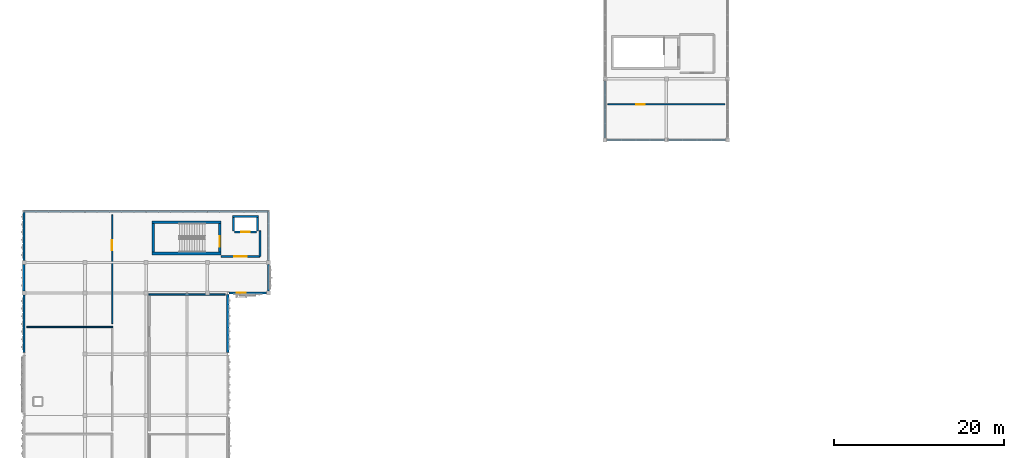
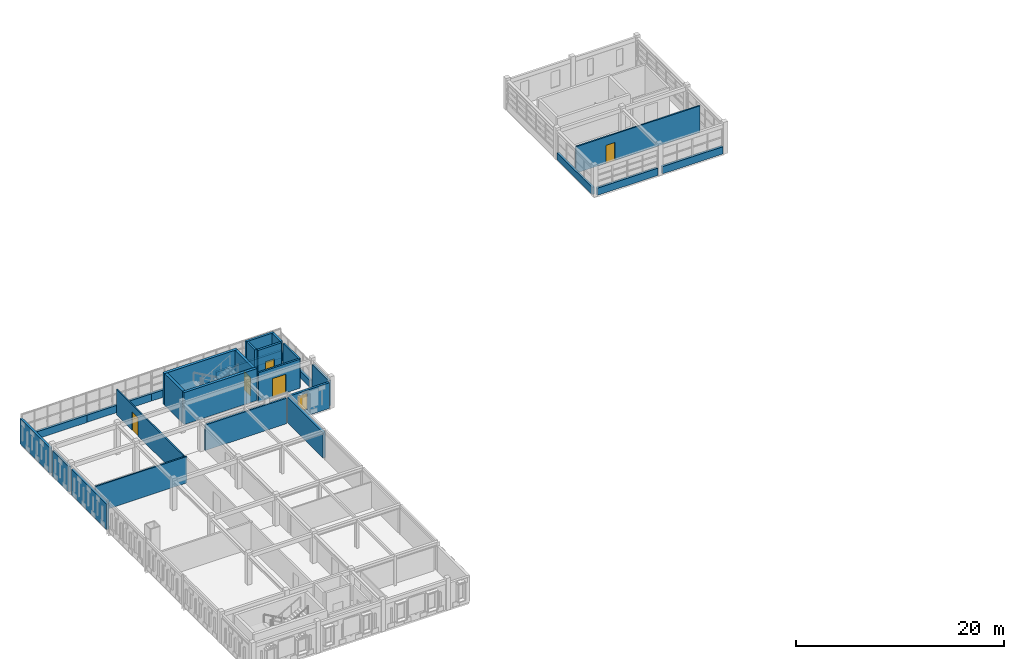
# One storey, part 27 of 53: 28 walls, 5 doors, 1 window, 6 openings.
"""IFC4 building model written with IfcOpenShell, lengths in metres."""

from ifc_helpers import new_model, si_unit, direction, frame, frame_2d, origin, place, context, subcontext, project, spatial, rectangle, extrude, material, layer, layer_set, type_object, element, fill, save


model = new_model("IFC4")

# Units and contexts
model_context = context("Model", 3, precision=1e-05, world=origin(), true_north=direction((0.0, 1.0)))
body_context = subcontext(model_context, "Body", "Model", "MODEL_VIEW")
ifc_project = project(units=[si_unit("LENGTHUNIT", "METRE"), si_unit("AREAUNIT", "SQUARE_METRE"), si_unit("VOLUMEUNIT", "CUBIC_METRE"), si_unit("PLANEANGLEUNIT", "RADIAN"), si_unit("MASSUNIT", "GRAM", prefix="KILO")], contexts=[model_context])

# Site, building, storey
site_placement = place(None, origin())
site = spatial("IfcSite", under=ifc_project, at=site_placement, CompositionType="ELEMENT")
building_placement = place(site_placement, origin())
building = spatial("IfcBuilding", under=site, at=building_placement, Name="Nzembalo Square Collegiate School", CompositionType="ELEMENT")
storey_placement = place(building_placement, frame((0.0, 0.0, 13.60009765625)))
storey = spatial("IfcBuildingStorey", under=building, at=storey_placement, Name="L03", CompositionType="ELEMENT", Elevation=13.60009765625)

# Walls
ifc_material_1 = material(Name="Concrete C40/50", Category="concrete")
ifc_layer_1 = layer(ifc_material_1, 0.300048828125, Name="Concrete C40/50")
ifc_layer_set_1 = layer_set([ifc_layer_1], Name="Concrete C40/50")
wall_type_1 = type_object("IfcWallType", Name="SW02", PredefinedType="SHEAR", material=ifc_layer_set_1)
wall_1_placement = place(storey_placement, frame((23.64990234375, 84.0, 0.0), z_axis=(0.0, 0.0, 1.0), x_axis=(0.0, 1.0, 0.0)))
element("IfcWall", 1, at=wall_1_placement, inside=storey, type_object=wall_type_1, Name="Core C2 stair shear wall W L03", PredefinedType="SHEAR", context=body_context, shape_type="SweptSolid", body=[
    extrude(rectangle(XDim=3.39990234375, YDim=0.300048828125, at=frame_2d((1.699951171875, 0.0))), origin(), (0.0, 0.0, 1.0), 3.739990234375),
])
for number, where, z_axis, x_axis, name in (
    (2, (23.5, 83.85009765625, 0.0), (0.0, 0.0, 1.0), (1.0, 0.0, 0.0), "Core C2 stair shear wall S L03"),
    (3, (23.5, 87.550048828125, 0.0), (0.0, 0.0, 1.0), (1.0, 0.0, 0.0), "Core C2 stair shear wall N L03"),
):
    element("IfcWall", number, at=place(storey_placement, frame(where, z_axis=z_axis, x_axis=x_axis)), inside=storey, type_object=wall_type_1, Name=name, PredefinedType="SHEAR", context=body_context, shape_type="SweptSolid", body=[
        extrude(rectangle(XDim=8.10009765625, YDim=0.300048828125, at=frame_2d((4.050048828125, 0.0))), origin(), (0.0, 0.0, 1.0), 3.739990234375),
    ])

# Wall, opening, door
wall_2_placement = place(storey_placement, frame((31.449951171875, 84.0, 0.0), z_axis=(0.0, 0.0, 1.0), x_axis=(0.0, 1.0, 0.0)))
wall_2 = element("IfcWall", 4, at=wall_2_placement, inside=storey, type_object=wall_type_1, Name="Core C2 stair shear wall E L03", PredefinedType="SHEAR", context=body_context, shape_type="SweptSolid", body=[
    extrude(rectangle(XDim=3.39990234375, YDim=0.300048828125, at=frame_2d((1.699951171875, 0.0))), origin(), (0.0, 0.0, 1.0), 3.739990234375),
])
opening_1_placement = place(wall_2_placement, frame((0.64990234375, 0.0, 0.0)))
opening_1 = element("IfcOpeningElement", 5, at=opening_1_placement, cuts=wall_2, Name="Opening FD-019", PredefinedType="OPENING", context=body_context, shape_type="SweptSolid", body=[
    extrude(rectangle(XDim=1.199951171875, YDim=2.199951171875, at=frame_2d((0.60009765625, 1.10009765625))), frame((0.0, 0.16015625, 0.0), z_axis=(0.0, -1.0, 0.0), x_axis=(1.0, 0.0, 0.0)), (0.0, 0.0, 1.0), 0.320068359375),
])
ifc_material_2 = material(Name="Fire-rated steel acoustic door", Category="steel")
door_type_1 = type_object("IfcDoorType", Name="FD01", OperationType="NOTDEFINED", PredefinedType="DOOR", material=ifc_material_2)
door_1_placement = place(opening_1_placement, origin())
door_1 = element("IfcDoor", 6, at=door_1_placement, inside=storey, type_object=door_type_1, Name="Stair fire door FD-019", OperationType="SINGLE_SWING_LEFT", OverallHeight=2.199951171875, OverallWidth=1.199951171875, PredefinedType="DOOR", context=body_context, shape_type="SweptSolid", body=[
    extrude(rectangle(XDim=1.199951171875, YDim=2.199951171875, at=frame_2d((0.60009765625, 1.10009765625))), frame((0.0, 0.02490234375, 0.0), z_axis=(0.0, -1.0, 0.0), x_axis=(1.0, 0.0, 0.0)), (0.0, 0.0, 1.0), 0.050048828125),
])
fill(opening_1, door_1)

# Walls
ifc_material_3 = material(Name="Concrete C35/45", Category="concrete")
ifc_layer_2 = layer(ifc_material_3, 0.239990234375, Name="Concrete C35/45")
ifc_layer_set_2 = layer_set([ifc_layer_2], Name="Concrete C35/45")
wall_type_2 = type_object("IfcWallType", Name="SW06", PredefinedType="SHEAR", material=ifc_layer_set_2)
for number, where, z_axis, x_axis, name in (
    (7, (33.080078125, 86.5, 0.0), (0.0, 0.0, 1.0), (0.0, 1.0, 0.0), "Lift LF2 shaft wall W L03"),
    (8, (35.919921875, 86.5, 0.0), (0.0, 0.0, 1.0), (0.0, 1.0, 0.0), "Lift LF2 shaft wall E L03"),
):
    element("IfcWall", number, at=place(storey_placement, frame(where, z_axis=z_axis, x_axis=x_axis)), inside=storey, type_object=wall_type_2, Name=name, PredefinedType="SHEAR", context=body_context, shape_type="SweptSolid", body=[
        extrude(rectangle(XDim=1.60009765625, YDim=0.239990234375, at=frame_2d((0.800048828125, 0.0))), origin(), (0.0, 0.0, 1.0), 3.739990234375),
    ])
wall_3_placement = place(storey_placement, frame((32.9599609375, 88.219970703125, 0.0), z_axis=(0.0, 0.0, 1.0), x_axis=(1.0, 0.0, 0.0)))
element("IfcWall", 9, at=wall_3_placement, inside=storey, type_object=wall_type_2, Name="Lift LF2 shaft wall N L03", PredefinedType="SHEAR", context=body_context, shape_type="SweptSolid", body=[
    extrude(rectangle(XDim=3.080078125, YDim=0.239990234375, at=frame_2d((1.5400390625, 0.0))), origin(), (0.0, 0.0, 1.0), 3.739990234375),
])

# Wall, opening, door
wall_4_placement = place(storey_placement, frame((33.199951171875, 86.3798828125, 0.0), z_axis=(0.0, 0.0, 1.0), x_axis=(1.0, 0.0, 0.0)))
wall_4 = element("IfcWall", 10, at=wall_4_placement, inside=storey, type_object=wall_type_2, Name="Lift LF2 landing front wall L03", PredefinedType="SHEAR", context=body_context, shape_type="SweptSolid", body=[
    extrude(rectangle(XDim=2.60009765625, YDim=0.239990234375, at=frame_2d((1.300048828125, 0.0))), origin(), (0.0, 0.0, 1.0), 3.739990234375),
])
opening_2_placement = place(wall_4_placement, frame((0.800048828125, 0.0, 0.0)))
opening_2 = element("IfcOpeningElement", 11, at=opening_2_placement, cuts=wall_4, Name="Opening LD-LF2-L03", PredefinedType="OPENING", context=body_context, shape_type="SweptSolid", body=[
    extrude(rectangle(XDim=1.0, YDim=2.14990234375, at=frame_2d((0.5, 1.074951171875))), frame((0.0, 0.1298828125, 0.0), z_axis=(0.0, -1.0, 0.0), x_axis=(1.0, 0.0, 0.0)), (0.0, 0.0, 1.0), 0.260009765625),
])
ifc_material_4 = material(Name="Stainless-steel sliding landing door", Category="steel")
door_type_2 = type_object("IfcDoorType", Name="LD02", OperationType="DOUBLE_DOOR_SLIDING", PredefinedType="DOOR", material=ifc_material_4)
door_2_placement = place(opening_2_placement, origin())
door_2 = element("IfcDoor", 12, at=door_2_placement, inside=storey, type_object=door_type_2, Name="Sliding lift landing door LD-LF2-L03", OperationType="DOUBLE_DOOR_SLIDING", OverallHeight=2.14990234375, OverallWidth=1.0, PredefinedType="DOOR", context=body_context, shape_type="SweptSolid", body=[
    extrude(rectangle(XDim=1.0, YDim=2.14990234375, at=frame_2d((0.5, 1.074951171875))), frame((0.0, 0.02490234375, 0.0), z_axis=(0.0, -1.0, 0.0), x_axis=(1.0, 0.0, 0.0)), (0.0, 0.0, 1.0), 0.050048828125),
])
fill(opening_2, door_2)

# Walls
ifc_material_5 = material(Name="Concrete C30/37", Category="concrete")
ifc_layer_3 = layer(ifc_material_5, 0.264892578125, Name="Concrete C30/37")
ifc_layer_set_3 = layer_set([ifc_layer_3], Name="Concrete C30/37")
wall_type_3 = type_object("IfcWallType", Name="W06", PredefinedType="SOLIDWALL", material=ifc_layer_set_3)
wall_5_placement = place(storey_placement, frame((8.39990234375, 79.44189453125, 0.0), z_axis=(0.0, 0.0, 1.0), x_axis=(0.0, 1.0, 0.0)))
element("IfcWall", 13, at=wall_5_placement, inside=storey, type_object=wall_type_3, Name="Exterior wall W06 L03", PredefinedType="SOLIDWALL", context=body_context, shape_type="SweptSolid", body=[
    extrude(rectangle(XDim=3.1162109375, YDim=0.264892578125, at=frame_2d((1.55810546875, 0.0))), origin(), (0.0, 0.0, 1.0), 2.968994140625),
])
wall_6_placement = place(storey_placement, frame((8.39990234375, 88.800048828125, 0.0), z_axis=(0.0, 0.0, 1.0), x_axis=(1.0, 0.0, 0.0)))
element("IfcWall", 14, at=wall_6_placement, inside=storey, type_object=wall_type_3, Name="Spandrel wall W06 L03", PredefinedType="SOLIDWALL", context=body_context, shape_type="SweptSolid", body=[
    extrude(rectangle(XDim=7.2001953125, YDim=0.264892578125, at=frame_2d((3.60009765625, 0.0))), origin(), (0.0, 0.0, 1.0), 0.849853515625),
])
wall_7_placement = place(storey_placement, frame((22.800048828125, 88.800048828125, 0.0), z_axis=(0.0, 0.0, 1.0), x_axis=(1.0, 0.0, 0.0)))
element("IfcWall", 15, at=wall_7_placement, inside=storey, type_object=wall_type_3, Name="Spandrel wall W06 L03", PredefinedType="SOLIDWALL", context=body_context, shape_type="SweptSolid", body=[
    extrude(rectangle(XDim=7.199951171875, YDim=0.264892578125, at=frame_2d((3.60009765625, 0.0))), origin(), (0.0, 0.0, 1.0), 0.849853515625),
])
wall_8_placement = place(storey_placement, frame((37.199951171875, 79.44189453125, 0.0), z_axis=(0.0, 0.0, 1.0), x_axis=(0.0, 1.0, 0.0)))
element("IfcWall", 16, at=wall_8_placement, inside=storey, type_object=wall_type_3, Name="Exterior wall W06 L03", PredefinedType="SOLIDWALL", context=body_context, shape_type="SweptSolid", body=[
    extrude(rectangle(XDim=3.1162109375, YDim=0.264892578125, at=frame_2d((1.55810546875, 0.0))), origin(), (0.0, 0.0, 1.0), 2.968994140625),
])
wall_9_placement = place(storey_placement, frame((37.199951171875, 83.0419921875, 0.0), z_axis=(0.0, 0.0, 1.0), x_axis=(0.0, 1.0, 0.0)))
element("IfcWall", 17, at=wall_9_placement, inside=storey, type_object=wall_type_3, Name="Spandrel wall W06 L03", PredefinedType="SOLIDWALL", context=body_context, shape_type="SweptSolid", body=[
    extrude(rectangle(XDim=5.758056640625, YDim=0.264892578125, at=frame_2d((2.87890625, 0.0))), origin(), (0.0, 0.0, 1.0), 0.849853515625),
])
wall_10_placement = place(storey_placement, frame((32.39990234375, 72.172119140625, 0.0), z_axis=(0.0, 0.0, 1.0), x_axis=(0.0, 1.0, 0.0)))
element("IfcWall", 18, at=wall_10_placement, inside=storey, type_object=wall_type_3, Name="Exterior wall W06 L03", PredefinedType="SOLIDWALL", context=body_context, shape_type="SweptSolid", body=[
    extrude(rectangle(XDim=6.85595703125, YDim=0.264892578125, at=frame_2d((3.427978515625, 0.0))), origin(), (0.0, 0.0, 1.0), 2.9990234375),
])
wall_11_placement = place(storey_placement, frame((84.241943359375, 97.199951171875, 0.0), z_axis=(0.0, 0.0, 1.0), x_axis=(1.0, 0.0, 0.0)))
element("IfcWall", 19, at=wall_11_placement, inside=storey, type_object=wall_type_3, Name="Spandrel wall W06 L03", PredefinedType="SOLIDWALL", context=body_context, shape_type="SweptSolid", body=[
    extrude(rectangle(XDim=6.716064453125, YDim=0.264892578125, at=frame_2d((3.35791015625, 0.0))), origin(), (0.0, 0.0, 1.0), 0.849853515625),
])
ifc_material_6 = material(Name="CLT CL24", Category="wood")
ifc_layer_4 = layer(ifc_material_6, 0.2451171875, Name="CLT CL24")
ifc_layer_set_4 = layer_set([ifc_layer_4], Name="CLT CL24")
wall_type_4 = type_object("IfcWallType", Name="W07", PredefinedType="SOLIDWALL", material=ifc_layer_set_4)
wall_12_placement = place(storey_placement, frame((8.39990234375, 72.172119140625, 0.0), z_axis=(0.0, 0.0, 1.0), x_axis=(0.0, 1.0, 0.0)))
element("IfcWall", 20, at=wall_12_placement, inside=storey, type_object=wall_type_4, Name="Exterior wall W07 L03", PredefinedType="SOLIDWALL", context=body_context, shape_type="SweptSolid", body=[
    extrude(rectangle(XDim=6.785888671875, YDim=0.2451171875, at=frame_2d((3.39306640625, 0.0))), origin(), (0.0, 0.0, 1.0), 2.9990234375),
])
wall_13_placement = place(storey_placement, frame((8.39990234375, 83.0419921875, 0.0), z_axis=(0.0, 0.0, 1.0), x_axis=(0.0, 1.0, 0.0)))
element("IfcWall", 21, at=wall_13_placement, inside=storey, type_object=wall_type_4, Name="Exterior wall W07 L03", PredefinedType="SOLIDWALL", context=body_context, shape_type="SweptSolid", body=[
    extrude(rectangle(XDim=5.758056640625, YDim=0.2451171875, at=frame_2d((2.87890625, 0.0))), origin(), (0.0, 0.0, 1.0), 2.968994140625),
])
for number, where, z_axis, x_axis, name in (
    (22, (15.60009765625, 88.800048828125, 0.0), (0.0, 0.0, 1.0), (1.0, 0.0, 0.0), "Spandrel wall W07 L03"),
    (23, (30.0, 88.800048828125, 0.0), (0.0, 0.0, 1.0), (1.0, 0.0, 0.0), "Spandrel wall W07 L03"),
):
    element("IfcWall", number, at=place(storey_placement, frame(where, z_axis=z_axis, x_axis=x_axis)), inside=storey, type_object=wall_type_4, Name=name, PredefinedType="SOLIDWALL", context=body_context, shape_type="SweptSolid", body=[
        extrude(rectangle(XDim=7.199951171875, YDim=0.2451171875, at=frame_2d((3.60009765625, 0.0))), origin(), (0.0, 0.0, 1.0), 0.849853515625),
    ])

# Wall, opening, window
wall_14_placement = place(storey_placement, frame((32.552001953125, 79.199951171875, 0.0), z_axis=(0.0, 0.0, 1.0), x_axis=(1.0, 0.0, 0.0)))
wall_14 = element("IfcWall", 24, at=wall_14_placement, inside=storey, type_object=wall_type_4, Name="Exterior wall W07 L03", PredefinedType="SOLIDWALL", context=body_context, shape_type="SweptSolid", body=[
    extrude(rectangle(XDim=4.406005859375, YDim=0.2451171875, at=frame_2d((2.203125, 0.0))), origin(), (0.0, 0.0, 1.0), 2.9990234375),
])
opening_3_placement = place(wall_14_placement, frame((0.915283203125, 0.0, 0.75)))
opening_3 = element("IfcOpeningElement", 25, at=opening_3_placement, cuts=wall_14, Name="Opening WN-L03-752", PredefinedType="OPENING", context=body_context, shape_type="SweptSolid", body=[
    extrude(rectangle(XDim=1.050048828125, YDim=1.89990234375, at=frame_2d((0.52490234375, 0.949951171875))), frame((0.0, 0.132568359375, 0.0), z_axis=(0.0, -1.0, 0.0), x_axis=(1.0, 0.0, 0.0)), (0.0, 0.0, 1.0), 0.26513671875),
])
ifc_material_7 = material(Name="Powder-coated aluminium and low-E double glazing", Category="aluminium")
window_type = type_object("IfcWindowType", Name="WN13", PartitioningType="SINGLE_PANEL", PredefinedType="WINDOW", material=ifc_material_7)
window_placement = place(opening_3_placement, origin())
window = element("IfcWindow", 26, at=window_placement, inside=storey, type_object=window_type, Name="Lancet window WN-L03-752", OverallHeight=1.89990234375, OverallWidth=1.050048828125, PartitioningType="SINGLE_PANEL", PredefinedType="WINDOW", context=body_context, shape_type="SweptSolid", body=[
    extrude(rectangle(XDim=1.050048828125, YDim=1.89990234375, at=frame_2d((0.52490234375, 0.949951171875))), frame((0.0, 0.030029296875, 0.0), z_axis=(0.0, -1.0, 0.0), x_axis=(1.0, 0.0, 0.0)), (0.0, 0.0, 1.0), 0.06005859375),
])
fill(opening_3, window)

# Walls
for number, where, z_axis, x_axis, name in (
    (27, (77.0419921875, 97.199951171875, 0.0), (0.0, 0.0, 1.0), (1.0, 0.0, 0.0), "Spandrel wall W07 L03"),
    (28, (76.800048828125, 97.44189453125, 0.0), (0.0, 0.0, 1.0), (0.0, 1.0, 0.0), "Spandrel wall W07 L03"),
):
    element("IfcWall", number, at=place(storey_placement, frame(where, z_axis=z_axis, x_axis=x_axis)), inside=storey, type_object=wall_type_4, Name=name, PredefinedType="SOLIDWALL", context=body_context, shape_type="SweptSolid", body=[
        extrude(rectangle(XDim=6.716064453125, YDim=0.2451171875, at=frame_2d((3.35791015625, 0.0))), origin(), (0.0, 0.0, 1.0), 0.849853515625),
    ])
ifc_material_8 = material(Name="Concrete blockwork C25/30", Category="masonry")
ifc_layer_5 = layer(ifc_material_8, 0.199951171875, Name="Concrete blockwork C25/30")
ifc_layer_set_5 = layer_set([ifc_layer_5], Name="Concrete blockwork C25/30")
wall_type_5 = type_object("IfcWallType", Name="W11", PredefinedType="PARTITIONING", material=ifc_layer_set_5)
wall_15_placement = place(storey_placement, frame((36.199951171875, 83.5, 0.0), z_axis=(0.0, 0.0, 1.0), x_axis=(0.0, 1.0, 0.0)))
element("IfcWall", 29, at=wall_15_placement, inside=storey, type_object=wall_type_5, Name="Core C2 EI 60 lobby wall E L03", PredefinedType="PARTITIONING", context=body_context, shape_type="SweptSolid", body=[
    extrude(rectangle(XDim=3.0, YDim=0.199951171875, at=frame_2d((1.5, 0.0))), origin(), (0.0, 0.0, 1.0), 3.413818359375),
])

# Wall, opening, door
wall_16_placement = place(storey_placement, frame((31.60009765625, 83.5, 0.0), z_axis=(0.0, 0.0, 1.0), x_axis=(1.0, 0.0, 0.0)))
wall_16 = element("IfcWall", 30, at=wall_16_placement, inside=storey, type_object=wall_type_5, Name="Core C2 EI 60 lobby wall S L03", PredefinedType="PARTITIONING", context=body_context, shape_type="SweptSolid", body=[
    extrude(rectangle(XDim=4.599853515625, YDim=0.199951171875, at=frame_2d((2.2998046875, 0.0))), origin(), (0.0, 0.0, 1.0), 3.413818359375),
])
opening_4_placement = place(wall_16_placement, frame((1.574951171875, 0.0, 0.0)))
opening_4 = element("IfcOpeningElement", 31, at=opening_4_placement, cuts=wall_16, Name="Opening FD-020", PredefinedType="OPENING", context=body_context, shape_type="SweptSolid", body=[
    extrude(rectangle(XDim=1.449951171875, YDim=2.199951171875, at=frame_2d((0.72509765625, 1.10009765625))), frame((0.0, 0.10986328125, 0.0), z_axis=(0.0, -1.0, 0.0), x_axis=(1.0, 0.0, 0.0)), (0.0, 0.0, 1.0), 0.219970703125),
])
ifc_material_9 = material(Name="Fire-rated double lobby door")
door_type_3 = type_object("IfcDoorType", Name="FD02", OperationType="DOUBLE_DOOR_SINGLE_SWING", PredefinedType="DOOR", material=ifc_material_9)
door_3_placement = place(opening_4_placement, frame((1.449951171875, 0.0, 0.0), z_axis=(0.0, 0.0, 1.0), x_axis=(-1.0, 0.0, 0.0)))
door_3 = element("IfcDoor", 32, at=door_3_placement, inside=storey, type_object=door_type_3, Name="Protected lobby fire door FD-020", OperationType="DOUBLE_DOOR_SINGLE_SWING", OverallHeight=2.199951171875, OverallWidth=1.449951171875, PredefinedType="DOOR", context=body_context, shape_type="SweptSolid", body=[
    extrude(rectangle(XDim=1.449951171875, YDim=2.199951171875, at=frame_2d((0.72509765625, 1.10009765625))), frame((0.0, 0.02490234375, 0.0), z_axis=(0.0, -1.0, 0.0), x_axis=(1.0, 0.0, 0.0)), (0.0, 0.0, 1.0), 0.050048828125),
])
fill(opening_4, door_3)

# Wall
ifc_material_10 = material(Name="Acoustic double-board stud")
ifc_layer_6 = layer(ifc_material_10, 0.155029296875, Name="Acoustic double-board stud")
ifc_layer_set_6 = layer_set([ifc_layer_6], Name="Acoustic double-board stud")
wall_type_6 = type_object("IfcWallType", Name="W16", PredefinedType="PARTITIONING", material=ifc_layer_set_6)
wall_17_placement = place(storey_placement, frame((8.722412109375, 75.199951171875, 0.0), z_axis=(0.0, 0.0, 1.0), x_axis=(1.0, 0.0, 0.0)))
element("IfcWall", 33, at=wall_17_placement, inside=storey, type_object=wall_type_6, Name="Interior partition W16 L03-020-N", PredefinedType="PARTITIONING", context=body_context, shape_type="SweptSolid", body=[
    extrude(rectangle(XDim=10.155029296875, YDim=0.155029296875, at=frame_2d((5.07763671875, 0.0))), origin(), (0.0, 0.0, 1.0), 3.098876953125),
])

# Wall, opening, door
wall_18_placement = place(storey_placement, frame((77.12255859375, 101.39990234375, 0.0), z_axis=(0.0, 0.0, 1.0), x_axis=(1.0, 0.0, 0.0)))
wall_18 = element("IfcWall", 34, at=wall_18_placement, inside=storey, type_object=wall_type_6, Name="Interior partition W16 L03-026-N", PredefinedType="PARTITIONING", context=body_context, shape_type="SweptSolid", body=[
    extrude(rectangle(XDim=13.7548828125, YDim=0.155029296875, at=frame_2d((6.87744140625, 0.0))), origin(), (0.0, 0.0, 1.0), 3.098876953125),
])
opening_5_placement = place(wall_18_placement, frame((3.327392578125, 0.0, 0.0)))
opening_5 = element("IfcOpeningElement", 35, at=opening_5_placement, cuts=wall_18, Name="Opening D-L03-081", PredefinedType="OPENING", context=body_context, shape_type="SweptSolid", body=[
    extrude(rectangle(XDim=1.0, YDim=2.10009765625, at=frame_2d((0.5, 1.050048828125))), frame((0.0, 0.08740234375, 0.0), z_axis=(0.0, -1.0, 0.0), x_axis=(1.0, 0.0, 0.0)), (0.0, 0.0, 1.0), 0.175048828125),
])
ifc_material_11 = material(Name="Solid-core hardwood classroom door", Category="wood")
door_type_4 = type_object("IfcDoorType", Name="D02", OperationType="NOTDEFINED", PredefinedType="DOOR", material=ifc_material_11)
door_4_placement = place(opening_5_placement, origin())
door_4 = element("IfcDoor", 36, at=door_4_placement, inside=storey, type_object=door_type_4, Name="Interior door D-L03-081 (Bridge Seminar Studio 3F)", OperationType="SINGLE_SWING_RIGHT", OverallHeight=2.10009765625, OverallWidth=1.0, PredefinedType="DOOR", context=body_context, shape_type="SweptSolid", body=[
    extrude(rectangle(XDim=1.0, YDim=2.10009765625, at=frame_2d((0.5, 1.050048828125))), frame((0.0, 0.02490234375, 0.0), z_axis=(0.0, -1.0, 0.0), x_axis=(1.0, 0.0, 0.0)), (0.0, 0.0, 1.0), 0.050048828125),
])
fill(opening_5, door_4)

ifc_material_12 = material(Name="Gypsum plasterboard stud")
ifc_layer_7 = layer(ifc_material_12, 0.139892578125, Name="Gypsum plasterboard stud")
ifc_layer_set_7 = layer_set([ifc_layer_7], Name="Gypsum plasterboard stud")
wall_type_7 = type_object("IfcWallType", Name="W18", PredefinedType="PARTITIONING", material=ifc_layer_set_7)
wall_19_placement = place(storey_placement, frame((18.800048828125, 75.60009765625, 0.0), z_axis=(0.0, 0.0, 1.0), x_axis=(0.0, 1.0, 0.0)))
wall_19 = element("IfcWall", 37, at=wall_19_placement, inside=storey, type_object=wall_type_7, Name="Interior partition W18 L03-021-E", PredefinedType="PARTITIONING", context=body_context, shape_type="SweptSolid", body=[
    extrude(rectangle(XDim=12.7998046875, YDim=0.139892578125, at=frame_2d((6.39990234375, 0.0))), origin(), (0.0, 0.0, 1.0), 2.968994140625),
])
opening_6_placement = place(wall_19_placement, frame((8.614990234375, 0.0, 0.0)))
opening_6 = element("IfcOpeningElement", 38, at=opening_6_placement, cuts=wall_19, Name="Opening D-L03-077", PredefinedType="OPENING", context=body_context, shape_type="SweptSolid", body=[
    extrude(rectangle(XDim=1.179931640625, YDim=2.139892578125, at=frame_2d((0.58984375, 1.06982421875))), frame((0.0, 0.080078125, 0.0), z_axis=(0.0, -1.0, 0.0), x_axis=(1.0, 0.0, 0.0)), (0.0, 0.0, 1.0), 0.159912109375),
])
ifc_material_13 = material(Name="Wide SEN therapy suite door")
door_type_5 = type_object("IfcDoorType", Name="D18", OperationType="NOTDEFINED", PredefinedType="DOOR", material=ifc_material_13)
door_5_placement = place(opening_6_placement, origin())
door_5 = element("IfcDoor", 39, at=door_5_placement, inside=storey, type_object=door_type_5, Name="Interior door D-L03-077 (Computer and Robotics ICT Classroom 3C)", OperationType="SINGLE_SWING_LEFT", OverallHeight=2.139892578125, OverallWidth=1.179931640625, PredefinedType="DOOR", context=body_context, shape_type="SweptSolid", body=[
    extrude(rectangle(XDim=1.179931640625, YDim=2.139892578125, at=frame_2d((0.58984375, 1.06982421875))), frame((0.0, 0.02490234375, 0.0), z_axis=(0.0, -1.0, 0.0), x_axis=(1.0, 0.0, 0.0)), (0.0, 0.0, 1.0), 0.050048828125),
])
fill(opening_6, door_5)

# Wall
ifc_material_14 = material(Name="High-mass acoustic blockwork", Category="masonry")
ifc_layer_8 = layer(ifc_material_14, 0.18505859375, Name="High-mass acoustic blockwork")
ifc_layer_set_8 = layer_set([ifc_layer_8], Name="High-mass acoustic blockwork")
wall_type_8 = type_object("IfcWallType", Name="W22", PredefinedType="PARTITIONING", material=ifc_layer_set_8)
wall_20_placement = place(storey_placement, frame((23.107421875, 79.0, 0.0), z_axis=(0.0, 0.0, 1.0), x_axis=(1.0, 0.0, 0.0)))
element("IfcWall", 40, at=wall_20_placement, inside=storey, type_object=wall_type_8, Name="Interior partition W22 L03-023-N", PredefinedType="PARTITIONING", context=body_context, shape_type="SweptSolid", body=[
    extrude(rectangle(XDim=8.985107421875, YDim=0.18505859375, at=frame_2d((4.49267578125, 0.0))), origin(), (0.0, 0.0, 1.0), 2.9990234375),
])

save(model, "model.ifc")
